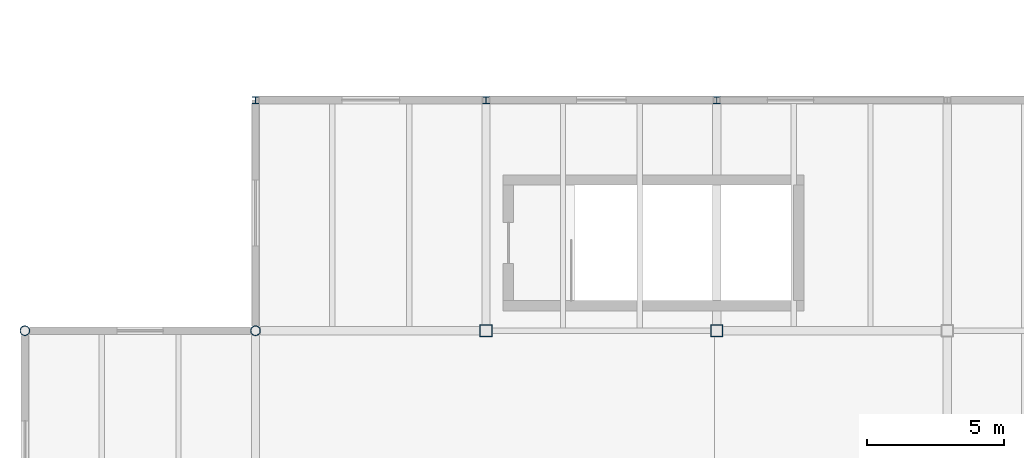
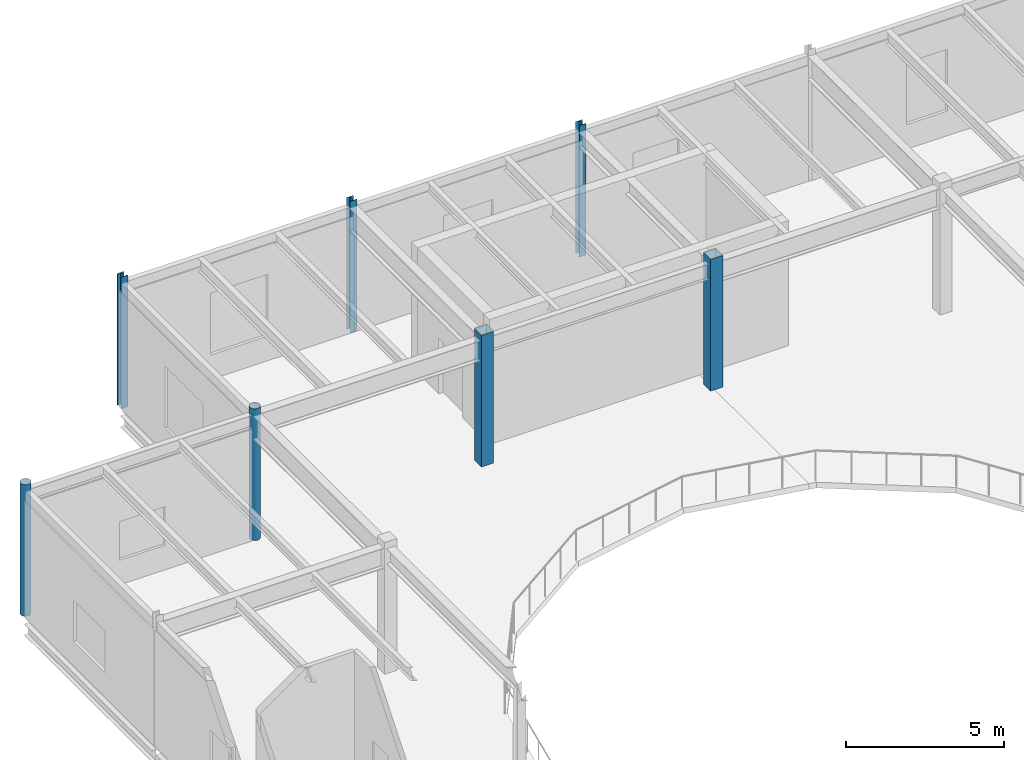
# One storey, part 8 of 57: 7 columns.
"""IFC4 building model written with IfcOpenShell, lengths in metres."""

from ifc_helpers import new_model, si_unit, direction, frame, origin, origin_2d, place, context, subcontext, project, spatial, hollow_rectangle, hollow_circle, i_section, extrude, material, material_profile, profile_set, type_object, element, save


model = new_model("IFC4")

# Units and contexts
model_context = context("Model", 3, precision=1e-05, world=origin(), true_north=direction((0.0, 1.0)))
body_context = subcontext(model_context, "Body", "Model", "MODEL_VIEW")
ifc_project = project(units=[si_unit("LENGTHUNIT", "METRE"), si_unit("AREAUNIT", "SQUARE_METRE"), si_unit("VOLUMEUNIT", "CUBIC_METRE"), si_unit("PLANEANGLEUNIT", "RADIAN"), si_unit("MASSUNIT", "GRAM", prefix="KILO"), si_unit("THERMODYNAMICTEMPERATUREUNIT", "KELVIN")], contexts=[model_context])

# Site, building, storey
site_placement = place(None, origin())
site = spatial("IfcSite", under=ifc_project, at=site_placement, CompositionType="ELEMENT")
building_placement = place(site_placement, origin())
building = spatial("IfcBuilding", under=site, at=building_placement, Name="Lustrewick Department Store", CompositionType="ELEMENT")
storey_placement = place(building_placement, frame((0.0, 0.0, 26.699951171875)))
storey = spatial("IfcBuildingStorey", under=building, at=storey_placement, Name="L06", CompositionType="ELEMENT", Elevation=26.699951171875)

# Columns
ifc_material = material(Name="Structural steel Q355B", Category="steel")
ifc_material_profile_1 = material_profile(ifc_material, hollow_rectangle(XDim=0.449951171875, YDim=0.449951171875, WallThickness=0.01806640625, at=origin_2d()), Name="BOX 450x450x18")
ifc_profile_set_1 = profile_set([ifc_material_profile_1], Name="Structural steel Q355B")
column_type_1 = type_object("IfcColumnType", Name="C07", PredefinedType="COLUMN", material=ifc_profile_set_1)
for number, where, z_axis, x_axis, name in (
    (1, (25.199951171875, 84.0, 0.0), (0.0, 0.0, 1.0), (1.0, 0.0, 0.0), "L06 V1 Column C07"),
    (2, (33.60009765625, 84.0, 0.0), (0.0, 0.0, 1.0), (1.0, 0.0, 0.0), "L06 V1 Column C07"),
):
    element("IfcColumn", number, at=place(storey_placement, frame(where, z_axis=z_axis, x_axis=x_axis)), inside=storey, type_object=column_type_1, Name=name, PredefinedType="COLUMN", context=body_context, shape_type="SweptSolid", body=[
        extrude(hollow_rectangle(XDim=0.449951171875, YDim=0.449951171875, WallThickness=0.01806640625, at=origin_2d()), origin(), (0.0, 0.0, 1.0), 5.10009765625),
    ])
ifc_material_profile_2 = material_profile(ifc_material, hollow_circle(Radius=0.177978515625, WallThickness=0.013916015625, at=origin_2d()), Name="CHS 356x14")
ifc_profile_set_2 = profile_set([ifc_material_profile_2], Name="Structural steel Q355B")
column_type_2 = type_object("IfcColumnType", Name="CE05", PredefinedType="COLUMN", material=ifc_profile_set_2)
for number, where, z_axis, x_axis, name in (
    (3, (8.39990234375, 84.0, 0.0), (0.0, 0.0, 1.0), (1.0, 0.0, 0.0), "L06 V1 Column CE05"),
    (4, (16.800048828125, 84.0, 0.0), (0.0, 0.0, 1.0), (1.0, 0.0, 0.0), "L06 V1 Column CE05"),
):
    element("IfcColumn", number, at=place(storey_placement, frame(where, z_axis=z_axis, x_axis=x_axis)), inside=storey, type_object=column_type_2, Name=name, PredefinedType="COLUMN", context=body_context, shape_type="SweptSolid", body=[
        extrude(hollow_circle(Radius=0.177978515625, WallThickness=0.013916015625, at=origin_2d()), origin(), (0.0, 0.0, 1.0), 5.10009765625),
    ])
ifc_material_profile_3 = material_profile(ifc_material, i_section(OverallWidth=0.25, OverallDepth=0.25, WebThickness=0.009033203125, FlangeThickness=0.013916015625, FilletRadius=0.01611328125, at=origin_2d()), Name="HW 250x250x9x14")
ifc_profile_set_3 = profile_set([ifc_material_profile_3], Name="Structural steel Q355B")
column_type_3 = type_object("IfcColumnType", Name="CE08", PredefinedType="COLUMN", material=ifc_profile_set_3)
for number, where, z_axis, x_axis, name in (
    (5, (16.800048828125, 92.39990234375, 0.0), (0.0, 0.0, 1.0), (1.0, 0.0, 0.0), "L06 V1 Column CE08"),
    (6, (25.199951171875, 92.39990234375, 0.0), (0.0, 0.0, 1.0), (1.0, 0.0, 0.0), "L06 V1 Column CE08"),
    (7, (33.60009765625, 92.39990234375, 0.0), (0.0, 0.0, 1.0), (1.0, 0.0, 0.0), "L06 V1 Column CE08"),
):
    element("IfcColumn", number, at=place(storey_placement, frame(where, z_axis=z_axis, x_axis=x_axis)), inside=storey, type_object=column_type_3, Name=name, PredefinedType="COLUMN", context=body_context, shape_type="SweptSolid", body=[
        extrude(i_section(OverallWidth=0.25, OverallDepth=0.25, WebThickness=0.009033203125, FlangeThickness=0.013916015625, FilletRadius=0.01611328125, at=origin_2d()), origin(), (0.0, 0.0, 1.0), 5.10009765625),
    ])

save(model, "model.ifc")
